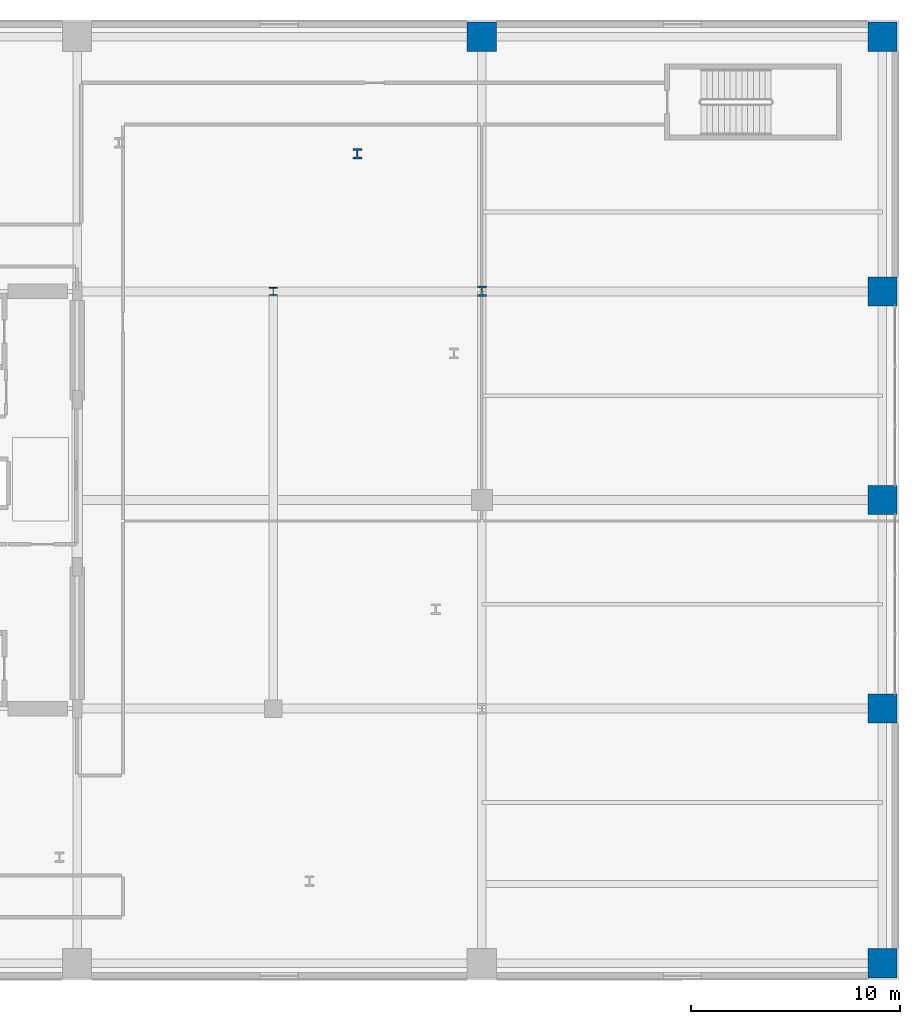
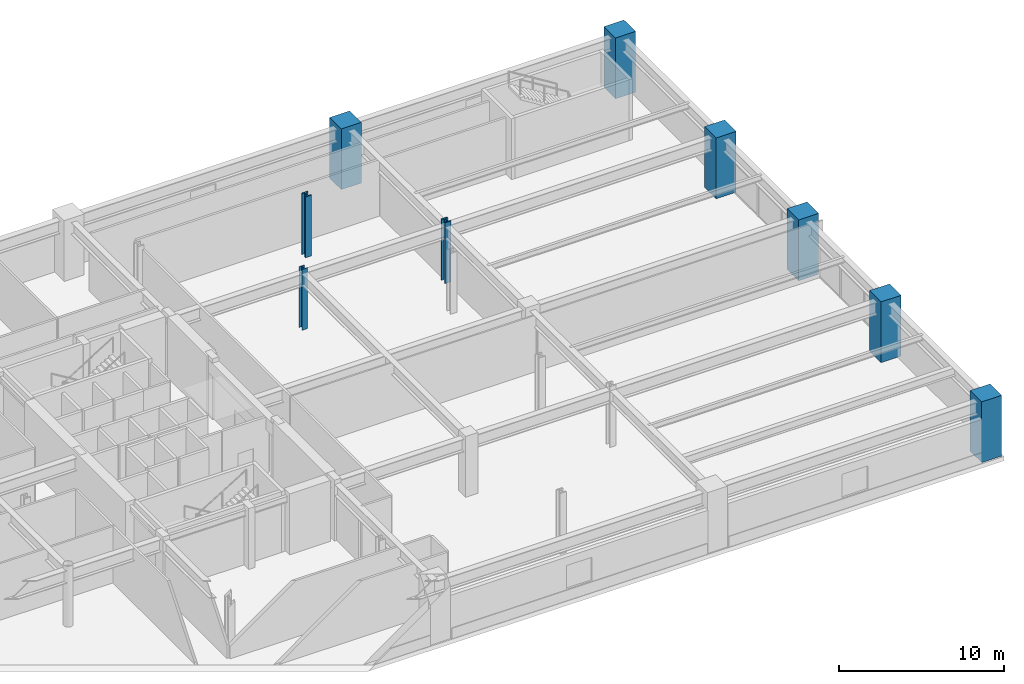
# One storey, part 3 of 28: 9 columns.
"""IFC4 building model written with IfcOpenShell, lengths in metres."""

import ifcopenshell
import ifcopenshell.guid

model = None  # the IFC model being written
_history = None  # IfcOwnerHistory: only IFC2X3 demands one
_inside = {}  # id of a spatial element -> (the spatial element, [elements in it])
_under = {}  # id of a project, library or spatial element -> (it, [spatial elements below it])
_declared = {}  # id of a project -> (the project, [libraries it declares])
_typed = {}  # id of a type object -> (the type object, [elements of that type])
_made_of = {}  # id of a material, layer set ... -> (it, [elements and type objects made of it])


def new_model(schema):
    """Start an empty IFC model of exactly this schema.

    Asked for "IFC4X3", IfcOpenShell would pick the latest addendum, in which some entities
    have other attributes; the version numbers below select the first issue.
    IFC2X3 requires an IfcOwnerHistory on every rooted entity: one is made here for all.
    """
    global model, _history
    if schema == "IFC4X3":
        model = ifcopenshell.file(schema_version=(4, 3, 0, 0))
    else:
        model = ifcopenshell.file(schema=schema)
    _inside.clear()
    _under.clear()
    _declared.clear()
    _typed.clear()
    _made_of.clear()
    _history = None
    if model.schema == "IFC2X3":
        org = make("IfcOrganization", Name="unknown")
        user = make(
            "IfcPersonAndOrganization",
            ThePerson=make("IfcPerson", FamilyName="unknown"),
            TheOrganization=org,
        )
        app = make(
            "IfcApplication",
            ApplicationDeveloper=org,
            Version="unknown",
            ApplicationFullName="unknown",
            ApplicationIdentifier="unknown",
        )
        _history = make(
            "IfcOwnerHistory",
            OwningUser=user,
            OwningApplication=app,
            ChangeAction="ADDED",
            CreationDate=0,
        )
    return model


def make(cls, **values):
    """One entity of the class cls with the attributes given. An attribute that is None is left unset."""
    return model.create_entity(
        cls, **{name: value for name, value in values.items() if value is not None}
    )


def rooted(cls, **values):
    """An entity with a GlobalId (a new one), such as an element, a storey or a relation."""
    return make(cls, GlobalId=ifcopenshell.guid.new(), OwnerHistory=_history, **values)


def si_unit(unit_type, name, prefix=None):
    """IfcSIUnit, for example si_unit("LENGTHUNIT", "METRE", prefix="MILLI")."""
    return make("IfcSIUnit", UnitType=unit_type, Prefix=prefix, Name=name)


def assignment(units):
    """IfcUnitAssignment: the units of a project."""
    return None if units is None else make("IfcUnitAssignment", Units=units)


def point(xyz):
    """IfcCartesianPoint."""
    return None if xyz is None else make("IfcCartesianPoint", Coordinates=xyz)


def direction(xyz):
    """IfcDirection."""
    return None if xyz is None else make("IfcDirection", DirectionRatios=xyz)


def frame(location, z_axis=None, x_axis=None):
    """IfcAxis2Placement3D, a coordinate frame: its origin and axes. An axis left out is left unset."""
    return make(
        "IfcAxis2Placement3D",
        Location=point(location),
        Axis=direction(z_axis),
        RefDirection=direction(x_axis),
    )


def frame_2d(location, x_axis=None):
    """IfcAxis2Placement2D, a coordinate frame in the plane: its origin and x axis."""
    return make(
        "IfcAxis2Placement2D", Location=point(location), RefDirection=direction(x_axis)
    )


def origin():
    """The frame at (0, 0, 0) with its axes left unset."""
    return frame((0.0, 0.0, 0.0))


def origin_2d():
    """The frame at (0, 0) in the plane with its x axis left unset."""
    return frame_2d((0.0, 0.0))


def place(relative_to, where):
    """IfcLocalPlacement: puts the frame where relative to a parent placement (None: the world)."""
    return make(
        "IfcLocalPlacement", PlacementRelTo=relative_to, RelativePlacement=where
    )


def context(
    kind, dimensions, precision=None, world=None, true_north=None, identifier=None
):
    """IfcGeometricRepresentationContext, for example the 3D "Model" context."""
    return make(
        "IfcGeometricRepresentationContext",
        ContextIdentifier=identifier,
        ContextType=kind,
        CoordinateSpaceDimension=dimensions,
        Precision=precision,
        WorldCoordinateSystem=world,
        TrueNorth=true_north,
    )


def subcontext(parent, identifier, kind, view, scale=None):
    """IfcGeometricRepresentationSubContext, for example "Body" below "Model"."""
    return make(
        "IfcGeometricRepresentationSubContext",
        ContextIdentifier=identifier,
        ContextType=kind,
        ParentContext=parent,
        TargetScale=scale,
        TargetView=view,
    )


def project(units=None, contexts=None):
    """IfcProject with its units and contexts."""
    return rooted(
        "IfcProject",
        Name="project",
        RepresentationContexts=contexts,
        UnitsInContext=assignment(units),
    )


def spatial(cls, under=None, at=None, **own):
    """A site, building, storey or space (cls), placed at a placement, below another one or the project."""
    s = rooted(cls, ObjectPlacement=at, **own)
    if under is not None:
        _under.setdefault(under.id(), (under, []))[1].append(s)
    return s


def profile(cls, at=None, kind="AREA", **sizes):
    """A parametric profile (cls). Its sizes go by their IFC names, for example OverallWidth=200.0."""
    return make(cls, ProfileType=kind, Position=at, **sizes)


def rectangle(**sizes):
    """IfcRectangleProfileDef."""
    return profile("IfcRectangleProfileDef", **sizes)


def i_section(**sizes):
    """IfcIShapeProfileDef."""
    return profile("IfcIShapeProfileDef", **sizes)


def extrude(swept, where, along, depth):
    """IfcExtrudedAreaSolid: the profile swept, set in the frame where, extruded along a direction by depth."""
    return make(
        "IfcExtrudedAreaSolid",
        SweptArea=swept,
        Position=where,
        ExtrudedDirection=direction(along),
        Depth=depth,
    )


def shape(context_of_items, identifier, shape_type, items):
    """IfcShapeRepresentation: the items that make up one representation, for example the "Body"."""
    return make(
        "IfcShapeRepresentation",
        ContextOfItems=context_of_items,
        RepresentationIdentifier=identifier,
        RepresentationType=shape_type,
        Items=items,
    )


def material(Name=None, Category=None):
    """IfcMaterial."""
    return make("IfcMaterial", Name=Name, Category=Category)


def material_profile(
    of_material, cross_section, Name=None, Category=None, Priority=None
):
    """IfcMaterialProfile: a cross section and its material."""
    return make(
        "IfcMaterialProfile",
        Name=Name,
        Material=of_material,
        Profile=cross_section,
        Priority=Priority,
        Category=Category,
    )


def profile_set(profiles, Name=None, composite=None):
    """IfcMaterialProfileSet."""
    return make(
        "IfcMaterialProfileSet",
        Name=Name,
        MaterialProfiles=profiles,
        CompositeProfile=composite,
    )


def made_of(thing, what):
    """Note that an element or type object is made of a material, layer set ...; save() writes the relation."""
    if what is not None:
        _made_of.setdefault(what.id(), (what, []))[1].append(thing)
    return thing


def type_object(cls, material=None, **own):
    """A type object (cls), such as IfcWallType, which elements share."""
    return made_of(rooted(cls, **own), material)


def element(
    cls,
    number,
    at=None,
    inside=None,
    cuts=None,
    type_object=None,
    material=None,
    context=None,
    identifier="Body",
    shape_type=None,
    held_by="IfcProductDefinitionShape",
    body=None,
    shapes=None,
    **own,
):
    """One element of the class cls, such as IfcWall. Its Tag is "e" and its number.

    at: its placement. inside: the storey or other place that contains it. cuts: it is an
    opening in that element (IfcRelVoidsElement). A single representation is given by context,
    identifier, shape_type and body (its items); several are given by shapes. held_by: the class
    of the entity that holds the representations. save() writes the other relations.
    """
    e = rooted(cls, Tag="e%d" % number, ObjectPlacement=at, **own)
    if body is not None:
        shapes = [shape(context, identifier, shape_type, body)]
    if shapes is not None:
        e.Representation = make(held_by, Representations=shapes)
    if inside is not None:
        _inside.setdefault(inside.id(), (inside, []))[1].append(e)
    if cuts is not None:
        rooted(
            "IfcRelVoidsElement", RelatingBuildingElement=cuts, RelatedOpeningElement=e
        )
    if type_object is not None:
        _typed.setdefault(type_object.id(), (type_object, []))[1].append(e)
    return made_of(e, material)


def aggregate(whole, parts):
    """IfcRelAggregates: a whole, such as a stair, and the parts it consists of."""
    return rooted("IfcRelAggregates", RelatingObject=whole, RelatedObjects=parts)


def save(model, path):
    """Write the relations noted so far, then the file.

    IfcRelAggregates (storeys below a building ...), IfcRelContainedInSpatialStructure (elements
    in a storey), IfcRelDefinesByType, IfcRelAssociatesMaterial and IfcRelDeclares: one each for
    every whole, place, type object, material and project.
    """
    for whole, parts in _under.values():
        aggregate(whole, parts)
    for where, things in _inside.values():
        rooted(
            "IfcRelContainedInSpatialStructure",
            RelatedElements=things,
            RelatingStructure=where,
        )
    for kind, things in _typed.values():
        rooted("IfcRelDefinesByType", RelatedObjects=things, RelatingType=kind)
    for what, things in _made_of.values():
        rooted("IfcRelAssociatesMaterial", RelatedObjects=things, RelatingMaterial=what)
    for by, libraries in _declared.values():
        rooted("IfcRelDeclares", RelatingContext=by, RelatedDefinitions=libraries)
    model.write(path)


model = new_model("IFC4")

# Units and contexts
model_context = context("Model", 3, precision=1e-05, world=origin(), true_north=direction((0.0, 1.0)))
body_context = subcontext(model_context, "Body", "Model", "MODEL_VIEW")
ifc_project = project(units=[si_unit("LENGTHUNIT", "METRE"), si_unit("AREAUNIT", "SQUARE_METRE"), si_unit("VOLUMEUNIT", "CUBIC_METRE"), si_unit("PLANEANGLEUNIT", "RADIAN"), si_unit("MASSUNIT", "GRAM", prefix="KILO")], contexts=[model_context])

# Site, building, storey
site_placement = place(None, origin())
site = spatial("IfcSite", under=ifc_project, at=site_placement, CompositionType="ELEMENT")
building_placement = place(site_placement, origin())
building = spatial("IfcBuilding", under=site, at=building_placement, Name="Soratama Intermodal Tower", CompositionType="ELEMENT")
storey_placement = place(building_placement, frame((0.0, 0.0, 16.199951171875)))
storey = spatial("IfcBuildingStorey", under=building, at=storey_placement, Name="L03", CompositionType="ELEMENT", Elevation=16.199951171875)

# Columns
ifc_material_1 = material(Name="Structural steel ASTM A992 Grade 50", Category="steel")
ifc_material_profile_1 = material_profile(ifc_material_1, i_section(OverallWidth=0.39404296875, OverallDepth=0.375, WebThickness=0.017333984375, FlangeThickness=0.027587890625, FilletRadius=0.0380859375, at=origin_2d()), Name="W14X145")
ifc_profile_set_1 = profile_set([ifc_material_profile_1], Name="Structural steel ASTM A992 Grade 50")
column_type_1 = type_object("IfcColumnType", Name="COL-INT-W14X145", PredefinedType="COLUMN", material=ifc_profile_set_1)
column_placement = place(storey_placement, frame((54.0, 35.0, 0.0), z_axis=(0.0, 0.0, 1.0), x_axis=(1.0, 0.0, 0.0)))
element("IfcColumn", 1, at=column_placement, inside=storey, type_object=column_type_1, Name="L03 Station Column P26", PredefinedType="COLUMN", context=body_context, shape_type="SweptSolid", body=[
    extrude(i_section(OverallWidth=0.39404296875, OverallDepth=0.375, WebThickness=0.017333984375, FlangeThickness=0.027587890625, FilletRadius=0.0380859375, at=origin_2d()), origin(), (0.0, 0.0, 1.0), 4.5),
])
ifc_material_2 = material(Name="Concrete f'c 56 MPa", Category="concrete")
ifc_material_profile_2 = material_profile(ifc_material_2, rectangle(XDim=1.39990234375, YDim=1.39990234375, at=origin_2d()), Name="RC1400X1400")
ifc_profile_set_2 = profile_set([ifc_material_profile_2], Name="Concrete f'c 56 MPa")
column_type_2 = type_object("IfcColumnType", Name="COL-POD-EXT-RC1400", PredefinedType="COLUMN", material=ifc_profile_set_2)
for number, where, z_axis, x_axis, name in (
    (2, (83.199951171875, 2.800048828125, 0.0), (0.0, 0.0, 1.0), (1.0, 0.0, 0.0), "L03 Station Column P04"),
    (3, (83.199951171875, 15.0, 0.0), (0.0, 0.0, 1.0), (1.0, 0.0, 0.0), "L03 Station Column P08"),
    (4, (83.199951171875, 35.0, 0.0), (0.0, 0.0, 1.0), (1.0, 0.0, 0.0), "L03 Station Column P12"),
    (5, (64.0, 47.199951171875, 0.0), (0.0, 0.0, 1.0), (1.0, 0.0, 0.0), "L03 Station Column P15"),
    (6, (83.199951171875, 47.199951171875, 0.0), (0.0, 0.0, 1.0), (1.0, 0.0, 0.0), "L03 Station Column P16"),
    (7, (83.199951171875, 25.0, 0.0), (0.0, 0.0, 1.0), (1.0, 0.0, 0.0), "L03 Station Column P20"),
):
    element("IfcColumn", number, at=place(storey_placement, frame(where, z_axis=z_axis, x_axis=x_axis)), inside=storey, type_object=column_type_2, Name=name, PredefinedType="COLUMN", context=body_context, shape_type="SweptSolid", body=[
        extrude(rectangle(XDim=1.39990234375, YDim=1.39990234375, at=origin_2d()), origin(), (0.0, 0.0, 1.0), 4.5),
    ])
ifc_material_3 = material(Name="Structural steel ASTM A992 Grade 50", Category="steel")
ifc_material_profile_3 = material_profile(ifc_material_3, i_section(OverallWidth=0.431884765625, OverallDepth=0.498046875, WebThickness=0.0556640625, FlangeThickness=0.0888671875, FilletRadius=0.0380859375, at=origin_2d()), Name="W14X500")
ifc_profile_set_3 = profile_set([ifc_material_profile_3], Name="Structural steel ASTM A992 Grade 50")
column_type_3 = type_object("IfcColumnType", Name="COL-POD-W14X500", PredefinedType="COLUMN", material=ifc_profile_set_3)
for number, where, z_axis, x_axis, name in (
    (8, (64.0, 35.0, 0.0), (0.0, 0.0, 1.0), (1.0, 0.0, 0.0), "L03 Station Column P11"),
    (9, (58.031982421875, 41.594970703125, 0.0), (0.0, 0.0, 1.0), (1.0, 0.0, 0.0), "L03 Station Column P30"),
):
    element("IfcColumn", number, at=place(storey_placement, frame(where, z_axis=z_axis, x_axis=x_axis)), inside=storey, type_object=column_type_3, Name=name, PredefinedType="COLUMN", context=body_context, shape_type="SweptSolid", body=[
        extrude(i_section(OverallWidth=0.431884765625, OverallDepth=0.498046875, WebThickness=0.0556640625, FlangeThickness=0.0888671875, FilletRadius=0.0380859375, at=origin_2d()), origin(), (0.0, 0.0, 1.0), 4.5),
    ])

save(model, "model.ifc")
